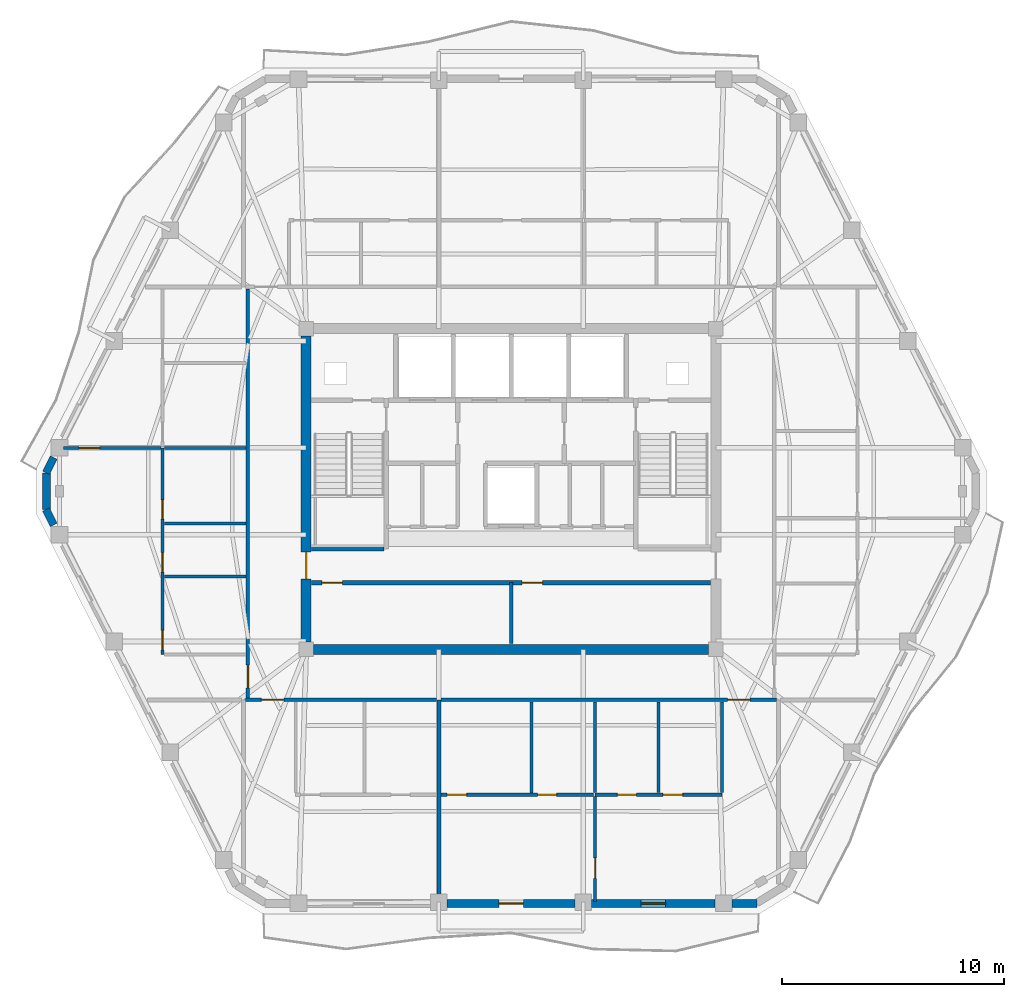
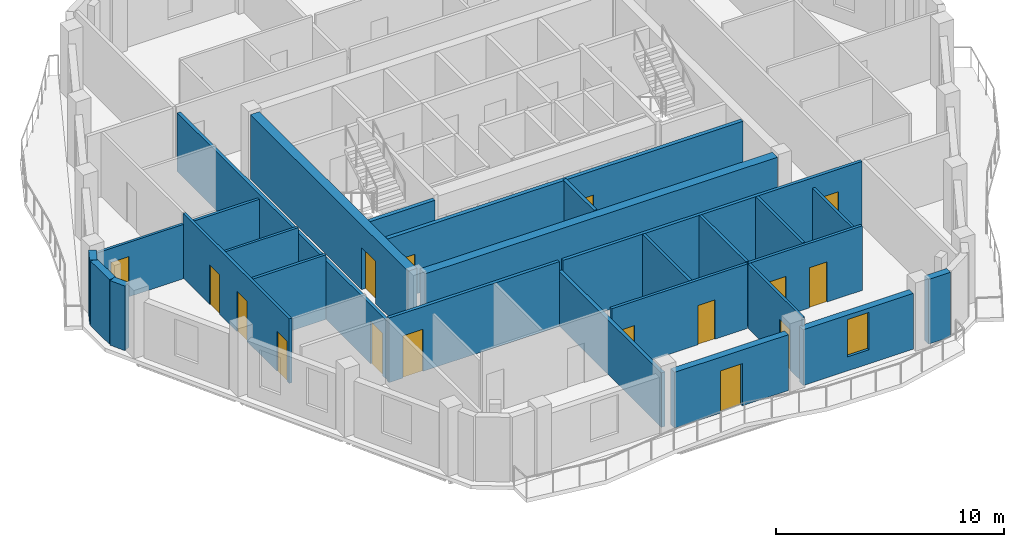
# One storey, part 4 of 11: 27 walls, 16 doors, 1 window, 17 openings.
"""IFC4 building model written with IfcOpenShell, lengths in metres."""

from ifc_helpers import new_model, si_unit, direction, frame, frame_2d, origin, place, context, subcontext, project, spatial, rectangle, extrude, material, layer, layer_set, type_object, element, fill, save


model = new_model("IFC4")

# Units and contexts
model_context = context("Model", 3, precision=1e-05, world=origin(), true_north=direction((0.0, 1.0)))
body_context = subcontext(model_context, "Body", "Model", "MODEL_VIEW")
ifc_project = project(units=[si_unit("LENGTHUNIT", "METRE"), si_unit("AREAUNIT", "SQUARE_METRE"), si_unit("VOLUMEUNIT", "CUBIC_METRE"), si_unit("PLANEANGLEUNIT", "RADIAN"), si_unit("MASSUNIT", "GRAM", prefix="KILO")], contexts=[model_context])

# Site, building, storey
site_placement = place(None, origin())
site = spatial("IfcSite", under=ifc_project, at=site_placement, CompositionType="ELEMENT")
building_placement = place(site_placement, origin())
building = spatial("IfcBuilding", under=site, at=building_placement, Name="Cinnabar Lancet Tower", CompositionType="ELEMENT")
storey_placement = place(building_placement, frame((0.0, 0.0, 230.64990234375)))
storey = spatial("IfcBuildingStorey", under=building, at=storey_placement, Name="L61", CompositionType="ELEMENT", Elevation=230.64990234375)

# Wall
ifc_material_1 = material(Name="Acoustic twin-stud gypsum partition", Category="gypsum")
ifc_layer_1 = layer(ifc_material_1, 0.159912109375)
ifc_layer_set_1 = layer_set([ifc_layer_1], Name="Acoustic twin-stud gypsum partition")
wall_type_1 = type_object("IfcWallType", Name="ARC-WL-CORR-160", PredefinedType="PARTITIONING", material=ifc_layer_set_1)
wall_1_placement = place(storey_placement, frame((32.39990234375, 18.949951171875, 0.0), z_axis=(0.0, 0.0, 1.0), x_axis=(0.0, 1.0, 0.0)))
element("IfcWall", 1, at=wall_1_placement, inside=storey, type_object=wall_type_1, Name="CW-SB-3240-L61", PredefinedType="PARTITIONING", context=body_context, shape_type="SweptSolid", body=[
    extrude(rectangle(XDim=2.72998046875, YDim=0.159912109375, at=frame_2d((1.364990234375, 0.0))), origin(), (0.0, 0.0, 1.0), 3.4501953125),
])

# Wall, opening, door
wall_2_placement = place(storey_placement, frame((20.445068359375, 16.39990234375, 0.0), z_axis=(0.0, 0.0, 1.0), x_axis=(1.0, 0.0, 0.0)))
wall_2 = element("IfcWall", 2, at=wall_2_placement, inside=storey, type_object=wall_type_1, Name="L61 Unit S01 Corridor Wall", PredefinedType="PARTITIONING", context=body_context, shape_type="SweptSolid", body=[
    extrude(rectangle(XDim=8.60595703125, YDim=0.159912109375, at=frame_2d((4.302978515625, 0.0))), origin(), (0.0, 0.0, 1.0), 3.4501953125),
])
opening_1_placement = place(wall_2_placement, frame((0.705078125, 0.0, 0.0)))
opening_1 = element("IfcOpeningElement", 3, at=opening_1_placement, cuts=wall_2, Name="Opening UD-01", PredefinedType="OPENING", context=body_context, shape_type="SweptSolid", body=[
    extrude(rectangle(XDim=1.02001953125, YDim=2.25, at=frame_2d((0.510009765625, 1.125))), frame((0.0, 0.08984375, 0.0), z_axis=(0.0, -1.0, 0.0), x_axis=(1.0, 0.0, 0.0)), (0.0, 0.0, 1.0), 0.179931640625),
])
ifc_material_2 = material(Name="Solid timber fire-rated apartment entrance door", Category="wood")
door_type_1 = type_object("IfcDoorType", Name="ARC-DR-UNIT", OperationType="NOTDEFINED", PredefinedType="DOOR", material=ifc_material_2)
door_1_placement = place(opening_1_placement, origin())
door_1 = element("IfcDoor", 4, at=door_1_placement, inside=storey, type_object=door_type_1, Name="DR-L61-S01-ENT", OperationType="SINGLE_SWING_LEFT", OverallHeight=2.25, OverallWidth=1.02001953125, PredefinedType="DOOR", context=body_context, shape_type="SweptSolid", body=[
    extrude(rectangle(XDim=1.02001953125, YDim=2.25, at=frame_2d((0.510009765625, 1.125))), frame((0.0, 0.02490234375, 0.0), z_axis=(0.0, -1.0, 0.0), x_axis=(1.0, 0.0, 0.0)), (0.0, 0.0, 1.0), 0.050048828125),
])
fill(opening_1, door_1)

wall_3_placement = place(storey_placement, frame((29.240966796875, 16.39990234375, 0.0), z_axis=(0.0, 0.0, 1.0), x_axis=(1.0, 0.0, 0.0)))
wall_3 = element("IfcWall", 5, at=wall_3_placement, inside=storey, type_object=wall_type_1, Name="L61 Unit S02 Corridor Wall", PredefinedType="PARTITIONING", context=body_context, shape_type="SweptSolid", body=[
    extrude(rectangle(XDim=15.114013671875, YDim=0.159912109375, at=frame_2d((7.55712890625, 0.0))), origin(), (0.0, 0.0, 1.0), 3.4501953125),
])
opening_2_placement = place(wall_3_placement, frame((12.908935546875, 0.0, 0.0)))
opening_2 = element("IfcOpeningElement", 6, at=opening_2_placement, cuts=wall_3, Name="Opening UD-01", PredefinedType="OPENING", context=body_context, shape_type="SweptSolid", body=[
    extrude(rectangle(XDim=1.02001953125, YDim=2.25, at=frame_2d((0.510009765625, 1.125))), frame((0.0, 0.08984375, 0.0), z_axis=(0.0, -1.0, 0.0), x_axis=(1.0, 0.0, 0.0)), (0.0, 0.0, 1.0), 0.179931640625),
])
door_2_placement = place(opening_2_placement, origin())
door_2 = element("IfcDoor", 7, at=door_2_placement, inside=storey, type_object=door_type_1, Name="DR-L61-S02-ENT", OperationType="SINGLE_SWING_RIGHT", OverallHeight=2.25, OverallWidth=1.02001953125, PredefinedType="DOOR", context=body_context, shape_type="SweptSolid", body=[
    extrude(rectangle(XDim=1.02001953125, YDim=2.25, at=frame_2d((0.510009765625, 1.125))), frame((0.0, 0.02490234375, 0.0), z_axis=(0.0, -1.0, 0.0), x_axis=(1.0, 0.0, 0.0)), (0.0, 0.0, 1.0), 0.050048828125),
])
fill(opening_2, door_2)

wall_4_placement = place(storey_placement, frame((20.550048828125, 16.4951171875, 0.0), z_axis=(0.0, 0.0, 1.0), x_axis=(0.0, 1.0, 0.0)))
wall_4 = element("IfcWall", 8, at=wall_4_placement, inside=storey, type_object=wall_type_1, Name="UW-L61-W01-COR", PredefinedType="PARTITIONING", context=body_context, shape_type="SweptSolid", body=[
    extrude(rectangle(XDim=18.409912109375, YDim=0.159912109375, at=frame_2d((9.205078125, 0.0))), origin(), (0.0, 0.0, 1.0), 3.13720703125),
])
opening_3_placement = place(wall_4_placement, frame((0.449951171875, 0.0, 0.0)))
opening_3 = element("IfcOpeningElement", 9, at=opening_3_placement, cuts=wall_4, Name="Opening UD-01", PredefinedType="OPENING", context=body_context, shape_type="SweptSolid", body=[
    extrude(rectangle(XDim=1.02001953125, YDim=2.25, at=frame_2d((0.510009765625, 1.125))), frame((0.0, 0.08984375, 0.0), z_axis=(0.0, -1.0, 0.0), x_axis=(1.0, 0.0, 0.0)), (0.0, 0.0, 1.0), 0.179931640625),
])
door_3_placement = place(opening_3_placement, origin())
door_3 = element("IfcDoor", 10, at=door_3_placement, inside=storey, type_object=door_type_1, Name="DR-L61-W01-ENT", OperationType="SINGLE_SWING_LEFT", OverallHeight=2.25, OverallWidth=1.02001953125, PredefinedType="DOOR", context=body_context, shape_type="SweptSolid", body=[
    extrude(rectangle(XDim=1.02001953125, YDim=2.25, at=frame_2d((0.510009765625, 1.125))), frame((0.0, 0.02490234375, 0.0), z_axis=(0.0, -1.0, 0.0), x_axis=(1.0, 0.0, 0.0)), (0.0, 0.0, 1.0), 0.050048828125),
])
fill(opening_3, door_3)

# Walls
ifc_material_3 = material(Name="Fire-rated twin-frame acoustic drywall", Category="gypsum")
ifc_layer_2 = layer(ifc_material_3, 0.179931640625)
ifc_layer_set_2 = layer_set([ifc_layer_2], Name="Fire-rated twin-frame acoustic drywall")
wall_type_2 = type_object("IfcWallType", Name="ARC-WL-PARTY-180", PredefinedType="PARTITIONING", material=ifc_layer_set_2)
wall_5_placement = place(storey_placement, frame((29.14599609375, 7.405029296875, 0.0), z_axis=(0.0, 0.0, 1.0), x_axis=(0.0, 1.0, 0.0)))
element("IfcWall", 11, at=wall_5_placement, inside=storey, type_object=wall_type_2, Name="PW-L61-SPTY-291", PredefinedType="PARTITIONING", context=body_context, shape_type="SweptSolid", body=[
    extrude(rectangle(XDim=8.994873046875, YDim=0.179931640625, at=frame_2d((4.49755859375, 0.0))), origin(), (0.0, 0.0, 1.0), 2.906982421875),
])
ifc_material_4 = material(Name="Autoclaved aerated concrete blockwork", Category="masonry")
ifc_layer_3 = layer(ifc_material_4, 0.199951171875)
ifc_layer_set_3 = layer_set([ifc_layer_3], Name="Autoclaved aerated concrete blockwork")
wall_type_3 = type_object("IfcWallType", Name="ARC-WL-SHAFT-200", PredefinedType="PLUMBINGWALL", material=ifc_layer_set_3)
wall_6_placement = place(storey_placement, frame((23.405029296875, 23.199951171875, 0.0), z_axis=(0.0, 0.0, 1.0), x_axis=(1.0, 0.0, 0.0)))
element("IfcWall", 12, at=wall_6_placement, inside=storey, type_object=wall_type_3, Name="CW-ST1S-L61", PredefinedType="PLUMBINGWALL", context=body_context, shape_type="SweptSolid", body=[
    extrude(rectangle(XDim=3.27001953125, YDim=0.199951171875, at=frame_2d((1.635009765625, 0.0))), origin(), (0.0, 0.0, 1.0), 3.4501953125),
])

# Wall, openings, doors
wall_7_placement = place(storey_placement, frame((23.419921875, 21.679931640625, 0.0), z_axis=(0.0, 0.0, 1.0), x_axis=(1.0, 0.0, 0.0)))
wall_7 = element("IfcWall", 13, at=wall_7_placement, inside=storey, type_object=wall_type_3, Name="CW-SBANDN-L61", PredefinedType="PLUMBINGWALL", context=body_context, shape_type="SweptSolid", body=[
    extrude(rectangle(XDim=17.9599609375, YDim=0.199951171875, at=frame_2d((8.97998046875, 0.0))), origin(), (0.0, 0.0, 1.0), 3.4501953125),
])
opening_4_placement = place(wall_7_placement, frame((0.4599609375, 0.0, 0.0)))
opening_4 = element("IfcOpeningElement", 14, at=opening_4_placement, cuts=wall_7, Name="Opening RD-01", PredefinedType="OPENING", context=body_context, shape_type="SweptSolid", body=[
    extrude(rectangle(XDim=0.919921875, YDim=2.14990234375, at=frame_2d((0.4599609375, 1.074951171875))), frame((0.0, 0.10986328125, 0.0), z_axis=(0.0, -1.0, 0.0), x_axis=(1.0, 0.0, 0.0)), (0.0, 0.0, 1.0), 0.219970703125),
])
opening_5_placement = place(wall_7_placement, frame((9.47998046875, 0.0, 0.0)))
opening_5 = element("IfcOpeningElement", 15, at=opening_5_placement, cuts=wall_7, Name="Opening RD-01", PredefinedType="OPENING", context=body_context, shape_type="SweptSolid", body=[
    extrude(rectangle(XDim=0.919921875, YDim=2.14990234375, at=frame_2d((0.4599609375, 1.074951171875))), frame((0.0, 0.10986328125, 0.0), z_axis=(0.0, -1.0, 0.0), x_axis=(1.0, 0.0, 0.0)), (0.0, 0.0, 1.0), 0.219970703125),
])
ifc_material_5 = material(Name="Engineered timber bedroom door", Category="wood")
door_type_2 = type_object("IfcDoorType", Name="ARC-DR-ROOM", OperationType="NOTDEFINED", PredefinedType="DOOR", material=ifc_material_5)
door_4_placement = place(opening_4_placement, origin())
door_4 = element("IfcDoor", 16, at=door_4_placement, inside=storey, type_object=door_type_2, Name="DR-L61-HREC1", OperationType="SINGLE_SWING_LEFT", OverallHeight=2.14990234375, OverallWidth=0.919921875, PredefinedType="DOOR", context=body_context, shape_type="SweptSolid", body=[
    extrude(rectangle(XDim=0.919921875, YDim=2.14990234375, at=frame_2d((0.4599609375, 1.074951171875))), frame((0.0, 0.02490234375, 0.0), z_axis=(0.0, -1.0, 0.0), x_axis=(1.0, 0.0, 0.0)), (0.0, 0.0, 1.0), 0.050048828125),
])
fill(opening_4, door_4)
door_5_placement = place(opening_5_placement, origin())
door_5 = element("IfcDoor", 17, at=door_5_placement, inside=storey, type_object=door_type_2, Name="DR-L61-HREC2", OperationType="SINGLE_SWING_RIGHT", OverallHeight=2.14990234375, OverallWidth=0.919921875, PredefinedType="DOOR", context=body_context, shape_type="SweptSolid", body=[
    extrude(rectangle(XDim=0.919921875, YDim=2.14990234375, at=frame_2d((0.4599609375, 1.074951171875))), frame((0.0, 0.02490234375, 0.0), z_axis=(0.0, -1.0, 0.0), x_axis=(1.0, 0.0, 0.0)), (0.0, 0.0, 1.0), 0.050048828125),
])
fill(opening_5, door_5)

# Wall
ifc_material_6 = material(Name="Gypsum plasterboard stud partition", Category="gypsum")
ifc_layer_4 = layer(ifc_material_6, 0.125)
ifc_layer_set_4 = layer_set([ifc_layer_4], Name="Gypsum plasterboard stud partition")
wall_type_4 = type_object("IfcWallType", Name="ARC-WL-UNIT-125", PredefinedType="PARTITIONING", material=ifc_layer_set_4)
wall_8_placement = place(storey_placement, frame((41.89990234375, 12.235107421875, 0.0), z_axis=(0.0, 0.0, 1.0), x_axis=(0.0, 1.0, 0.0)))
element("IfcWall", 18, at=wall_8_placement, inside=storey, type_object=wall_type_4, Name="UW-L61-S02-FOYW", PredefinedType="PARTITIONING", context=body_context, shape_type="SweptSolid", body=[
    extrude(rectangle(XDim=4.079833984375, YDim=0.125, at=frame_2d((2.0400390625, 0.0))), origin(), (0.0, 0.0, 1.0), 2.906982421875),
])

# Wall, opening, door
wall_9_placement = place(storey_placement, frame((36.18603515625, 7.31494140625, 0.0), z_axis=(0.0, 0.0, 1.0), x_axis=(0.0, 1.0, 0.0)))
wall_9 = element("IfcWall", 19, at=wall_9_placement, inside=storey, type_object=wall_type_4, Name="UW-L61-S02-MBW", PredefinedType="PARTITIONING", context=body_context, shape_type="SweptSolid", body=[
    extrude(rectangle(XDim=4.739990234375, YDim=0.125, at=frame_2d((2.3701171875, 0.0))), origin(), (0.0, 0.0, 1.0), 3.4501953125),
])
opening_6_placement = place(wall_9_placement, frame((1.050048828125, 0.0, 0.0)))
opening_6 = element("IfcOpeningElement", 20, at=opening_6_placement, cuts=wall_9, Name="Opening RD-01", PredefinedType="OPENING", context=body_context, shape_type="SweptSolid", body=[
    extrude(rectangle(XDim=0.919921875, YDim=2.14990234375, at=frame_2d((0.4599609375, 1.074951171875))), frame((0.0, 0.072509765625, 0.0), z_axis=(0.0, -1.0, 0.0), x_axis=(1.0, 0.0, 0.0)), (0.0, 0.0, 1.0), 0.14501953125),
])
door_6_placement = place(opening_6_placement, origin())
door_6 = element("IfcDoor", 21, at=door_6_placement, inside=storey, type_object=door_type_2, Name="DR-L61-S02-MBD", OperationType="SINGLE_SWING_LEFT", OverallHeight=2.14990234375, OverallWidth=0.919921875, PredefinedType="DOOR", context=body_context, shape_type="SweptSolid", body=[
    extrude(rectangle(XDim=0.919921875, YDim=2.14990234375, at=frame_2d((0.4599609375, 1.074951171875))), frame((0.0, 0.02490234375, 0.0), z_axis=(0.0, -1.0, 0.0), x_axis=(1.0, 0.0, 0.0)), (0.0, 0.0, 1.0), 0.050048828125),
])
fill(opening_6, door_6)

wall_10_placement = place(storey_placement, frame((12.2490234375, 27.74609375, 0.0), z_axis=(0.0, 0.0, 1.0), x_axis=(1.0, 0.0, 0.0)))
wall_10 = element("IfcWall", 22, at=wall_10_placement, inside=storey, type_object=wall_type_4, Name="UW-L61-W01-MBN", PredefinedType="PARTITIONING", context=body_context, shape_type="SweptSolid", body=[
    extrude(rectangle(XDim=4.3759765625, YDim=0.125, at=frame_2d((2.18798828125, 0.0))), origin(), (0.0, 0.0, 1.0), 2.906982421875),
])
opening_7_placement = place(wall_10_placement, frame((0.699951171875, 0.0, 0.0)))
opening_7 = element("IfcOpeningElement", 23, at=opening_7_placement, cuts=wall_10, Name="Opening RD-01", PredefinedType="OPENING", context=body_context, shape_type="SweptSolid", body=[
    extrude(rectangle(XDim=0.919921875, YDim=2.14990234375, at=frame_2d((0.4599609375, 1.074951171875))), frame((0.0, 0.072509765625, 0.0), z_axis=(0.0, -1.0, 0.0), x_axis=(1.0, 0.0, 0.0)), (0.0, 0.0, 1.0), 0.14501953125),
])
door_7_placement = place(opening_7_placement, origin())
door_7 = element("IfcDoor", 24, at=door_7_placement, inside=storey, type_object=door_type_2, Name="DR-L61-W01-MBD", OperationType="SINGLE_SWING_LEFT", OverallHeight=2.14990234375, OverallWidth=0.919921875, PredefinedType="DOOR", context=body_context, shape_type="SweptSolid", body=[
    extrude(rectangle(XDim=0.919921875, YDim=2.14990234375, at=frame_2d((0.4599609375, 1.074951171875))), frame((0.0, 0.02490234375, 0.0), z_axis=(0.0, -1.0, 0.0), x_axis=(1.0, 0.0, 0.0)), (0.0, 0.0, 1.0), 0.050048828125),
])
fill(opening_7, door_7)

# Wall
wall_11_placement = place(storey_placement, frame((16.784912109375, 24.345947265625, 0.0), z_axis=(0.0, 0.0, 1.0), x_axis=(1.0, 0.0, 0.0)))
element("IfcWall", 25, at=wall_11_placement, inside=storey, type_object=wall_type_4, Name="UW-L61-W01-UDV", PredefinedType="PARTITIONING", context=body_context, shape_type="SweptSolid", body=[
    extrude(rectangle(XDim=3.68017578125, YDim=0.125, at=frame_2d((1.840087890625, 0.0))), origin(), (0.0, 0.0, 1.0), 3.4501953125),
])

# Wall, openings, doors
ifc_material_7 = material(Name="Moisture-resistant cement-board plumbing wall", Category="masonry")
ifc_layer_5 = layer(ifc_material_7, 0.139892578125)
ifc_layer_set_5 = layer_set([ifc_layer_5], Name="Moisture-resistant cement-board plumbing wall")
wall_type_5 = type_object("IfcWallType", Name="ARC-WL-WET-140", PredefinedType="PLUMBINGWALL", material=ifc_layer_set_5)
wall_12_placement = place(storey_placement, frame((36.18603515625, 12.1298828125, 0.0), z_axis=(0.0, 0.0, 1.0), x_axis=(1.0, 0.0, 0.0)))
wall_12 = element("IfcWall", 26, at=wall_12_placement, inside=storey, type_object=wall_type_5, Name="UW-L61-S02-SPL", PredefinedType="PLUMBINGWALL", context=body_context, shape_type="SweptSolid", body=[
    extrude(rectangle(XDim=5.7138671875, YDim=0.139892578125, at=frame_2d((2.85693359375, 0.0))), origin(), (0.0, 0.0, 1.0), 3.4501953125),
])
opening_8_placement = place(wall_12_placement, frame((1.0029296875, 0.0, 0.0)))
opening_8 = element("IfcOpeningElement", 27, at=opening_8_placement, cuts=wall_12, Name="Opening BD-01", PredefinedType="OPENING", context=body_context, shape_type="SweptSolid", body=[
    extrude(rectangle(XDim=0.860107421875, YDim=2.10009765625, at=frame_2d((0.43017578125, 1.050048828125))), frame((0.0, 0.079833984375, 0.0), z_axis=(0.0, -1.0, 0.0), x_axis=(1.0, 0.0, 0.0)), (0.0, 0.0, 1.0), 0.159912109375),
])
opening_9_placement = place(wall_12_placement, frame((3.056884765625, 0.0, 0.0)))
opening_9 = element("IfcOpeningElement", 28, at=opening_9_placement, cuts=wall_12, Name="Opening RD-02", PredefinedType="OPENING", context=body_context, shape_type="SweptSolid", body=[
    extrude(rectangle(XDim=0.8798828125, YDim=2.14990234375, at=frame_2d((0.43994140625, 1.074951171875))), frame((0.0, 0.079833984375, 0.0), z_axis=(0.0, -1.0, 0.0), x_axis=(1.0, 0.0, 0.0)), (0.0, 0.0, 1.0), 0.159912109375),
])
ifc_material_8 = material(Name="Moisture-resistant timber bathroom door", Category="wood")
door_type_3 = type_object("IfcDoorType", Name="ARC-DR-BATH", OperationType="NOTDEFINED", PredefinedType="DOOR", material=ifc_material_8)
door_8_placement = place(opening_8_placement, origin())
door_8 = element("IfcDoor", 29, at=door_8_placement, inside=storey, type_object=door_type_3, Name="DR-L61-S02-BTH", OperationType="SINGLE_SWING_LEFT", OverallHeight=2.10009765625, OverallWidth=0.860107421875, PredefinedType="DOOR", context=body_context, shape_type="SweptSolid", body=[
    extrude(rectangle(XDim=0.860107421875, YDim=2.10009765625, at=frame_2d((0.43017578125, 1.050048828125))), frame((0.0, 0.02490234375, 0.0), z_axis=(0.0, -1.0, 0.0), x_axis=(1.0, 0.0, 0.0)), (0.0, 0.0, 1.0), 0.050048828125),
])
fill(opening_8, door_8)
ifc_material_9 = material(Name="Engineered timber study door", Category="wood")
door_type_4 = type_object("IfcDoorType", Name="ARC-DR-STUDY", OperationType="NOTDEFINED", PredefinedType="DOOR", material=ifc_material_9)
door_9_placement = place(opening_9_placement, origin())
door_9 = element("IfcDoor", 30, at=door_9_placement, inside=storey, type_object=door_type_4, Name="DR-L61-S02-KIT", OperationType="SINGLE_SWING_RIGHT", OverallHeight=2.14990234375, OverallWidth=0.8798828125, PredefinedType="DOOR", context=body_context, shape_type="SweptSolid", body=[
    extrude(rectangle(XDim=0.8798828125, YDim=2.14990234375, at=frame_2d((0.43994140625, 1.074951171875))), frame((0.0, 0.02490234375, 0.0), z_axis=(0.0, -1.0, 0.0), x_axis=(1.0, 0.0, 0.0)), (0.0, 0.0, 1.0), 0.050048828125),
])
fill(opening_9, door_9)

wall_13_placement = place(storey_placement, frame((29.240966796875, 12.1298828125, 0.0), z_axis=(0.0, 0.0, 1.0), x_axis=(1.0, 0.0, 0.0)))
wall_13 = element("IfcWall", 31, at=wall_13_placement, inside=storey, type_object=wall_type_5, Name="UW-L61-S02-SPM", PredefinedType="PLUMBINGWALL", context=body_context, shape_type="SweptSolid", body=[
    extrude(rectangle(XDim=6.8701171875, YDim=0.139892578125, at=frame_2d((3.43505859375, 0.0))), origin(), (0.0, 0.0, 1.0), 3.4501953125),
])
opening_10_placement = place(wall_13_placement, frame((0.280029296875, 0.0, 0.0)))
opening_10 = element("IfcOpeningElement", 32, at=opening_10_placement, cuts=wall_13, Name="Opening RD-02", PredefinedType="OPENING", context=body_context, shape_type="SweptSolid", body=[
    extrude(rectangle(XDim=0.8798828125, YDim=2.14990234375, at=frame_2d((0.43994140625, 1.074951171875))), frame((0.0, 0.079833984375, 0.0), z_axis=(0.0, -1.0, 0.0), x_axis=(1.0, 0.0, 0.0)), (0.0, 0.0, 1.0), 0.159912109375),
])
opening_11_placement = place(wall_13_placement, frame((4.35205078125, 0.0, 0.0)))
opening_11 = element("IfcOpeningElement", 33, at=opening_11_placement, cuts=wall_13, Name="Opening BD-01", PredefinedType="OPENING", context=body_context, shape_type="SweptSolid", body=[
    extrude(rectangle(XDim=0.860107421875, YDim=2.10009765625, at=frame_2d((0.43017578125, 1.050048828125))), frame((0.0, 0.079833984375, 0.0), z_axis=(0.0, -1.0, 0.0), x_axis=(1.0, 0.0, 0.0)), (0.0, 0.0, 1.0), 0.159912109375),
])
door_10_placement = place(opening_11_placement, origin())
door_10 = element("IfcDoor", 34, at=door_10_placement, inside=storey, type_object=door_type_3, Name="DR-L61-S02-ENS", OperationType="SINGLE_SWING_LEFT", OverallHeight=2.10009765625, OverallWidth=0.860107421875, PredefinedType="DOOR", context=body_context, shape_type="SweptSolid", body=[
    extrude(rectangle(XDim=0.860107421875, YDim=2.10009765625, at=frame_2d((0.43017578125, 1.050048828125))), frame((0.0, 0.02490234375, 0.0), z_axis=(0.0, -1.0, 0.0), x_axis=(1.0, 0.0, 0.0)), (0.0, 0.0, 1.0), 0.050048828125),
])
fill(opening_11, door_10)
door_11_placement = place(opening_10_placement, origin())
door_11 = element("IfcDoor", 35, at=door_11_placement, inside=storey, type_object=door_type_4, Name="DR-L61-S02-ENS-WDR", OperationType="SINGLE_SWING_RIGHT", OverallHeight=2.14990234375, OverallWidth=0.8798828125, PredefinedType="DOOR", context=body_context, shape_type="SweptSolid", body=[
    extrude(rectangle(XDim=0.8798828125, YDim=2.14990234375, at=frame_2d((0.43994140625, 1.074951171875))), frame((0.0, 0.02490234375, 0.0), z_axis=(0.0, -1.0, 0.0), x_axis=(1.0, 0.0, 0.0)), (0.0, 0.0, 1.0), 0.050048828125),
])
fill(opening_10, door_11)

# Walls
for number, where, z_axis, x_axis, name in (
    (36, (39.04296875, 12.235107421875, 0.0), (0.0, 0.0, 1.0), (0.0, 1.0, 0.0), "UW-L61-S02-KBD"),
    (37, (36.18603515625, 12.235107421875, 0.0), (0.0, 0.0, 1.0), (0.0, 1.0, 0.0), "UW-L61-S02-ENSW"),
):
    element("IfcWall", number, at=place(storey_placement, frame(where, z_axis=z_axis, x_axis=x_axis)), inside=storey, type_object=wall_type_5, Name=name, PredefinedType="PLUMBINGWALL", context=body_context, shape_type="SweptSolid", body=[
        extrude(rectangle(XDim=4.079833984375, YDim=0.139892578125, at=frame_2d((2.0400390625, 0.0))), origin(), (0.0, 0.0, 1.0), 3.4501953125),
    ])
wall_14_placement = place(storey_placement, frame((33.31298828125, 12.215087890625, 0.0), z_axis=(0.0, 0.0, 1.0), x_axis=(0.0, 1.0, 0.0)))
element("IfcWall", 38, at=wall_14_placement, inside=storey, type_object=wall_type_5, Name="UW-L61-S02-ENS-WDV", PredefinedType="PLUMBINGWALL", context=body_context, shape_type="SweptSolid", body=[
    extrude(rectangle(XDim=4.099853515625, YDim=0.139892578125, at=frame_2d((2.0498046875, 0.0))), origin(), (0.0, 0.0, 1.0), 3.4501953125),
])

# Wall, openings, doors
wall_15_placement = place(storey_placement, frame((16.699951171875, 18.449951171875, 0.0), z_axis=(0.0, 0.0, 1.0), x_axis=(0.0, 1.0, 0.0)))
wall_15 = element("IfcWall", 39, at=wall_15_placement, inside=storey, type_object=wall_type_5, Name="UW-L61-W01-SPL", PredefinedType="PLUMBINGWALL", context=body_context, shape_type="SweptSolid", body=[
    extrude(rectangle(XDim=9.296142578125, YDim=0.139892578125, at=frame_2d((4.64794921875, 0.0))), origin(), (0.0, 0.0, 1.0), 3.4501953125),
])
opening_12_placement = place(wall_15_placement, frame((0.199951171875, 0.0, 0.0)))
opening_12 = element("IfcOpeningElement", 40, at=opening_12_placement, cuts=wall_15, Name="Opening RD-02", PredefinedType="OPENING", context=body_context, shape_type="SweptSolid", body=[
    extrude(rectangle(XDim=0.8798828125, YDim=2.14990234375, at=frame_2d((0.43994140625, 1.074951171875))), frame((0.0, 0.079833984375, 0.0), z_axis=(0.0, -1.0, 0.0), x_axis=(1.0, 0.0, 0.0)), (0.0, 0.0, 1.0), 0.159912109375),
])
opening_13_placement = place(wall_15_placement, frame((3.699951171875, 0.0, 0.0)))
opening_13 = element("IfcOpeningElement", 41, at=opening_13_placement, cuts=wall_15, Name="Opening RD-02", PredefinedType="OPENING", context=body_context, shape_type="SweptSolid", body=[
    extrude(rectangle(XDim=0.8798828125, YDim=2.14990234375, at=frame_2d((0.43994140625, 1.074951171875))), frame((0.0, 0.079833984375, 0.0), z_axis=(0.0, -1.0, 0.0), x_axis=(1.0, 0.0, 0.0)), (0.0, 0.0, 1.0), 0.159912109375),
])
opening_14_placement = place(wall_15_placement, frame((6.095947265625, 0.0, 0.0)))
opening_14 = element("IfcOpeningElement", 42, at=opening_14_placement, cuts=wall_15, Name="Opening BD-01", PredefinedType="OPENING", context=body_context, shape_type="SweptSolid", body=[
    extrude(rectangle(XDim=0.860107421875, YDim=2.10009765625, at=frame_2d((0.43017578125, 1.050048828125))), frame((0.0, 0.079833984375, 0.0), z_axis=(0.0, -1.0, 0.0), x_axis=(1.0, 0.0, 0.0)), (0.0, 0.0, 1.0), 0.159912109375),
])
door_12_placement = place(opening_14_placement, origin())
door_12 = element("IfcDoor", 43, at=door_12_placement, inside=storey, type_object=door_type_3, Name="DR-L61-W01-BTH", OperationType="SINGLE_SWING_RIGHT", OverallHeight=2.10009765625, OverallWidth=0.860107421875, PredefinedType="DOOR", context=body_context, shape_type="SweptSolid", body=[
    extrude(rectangle(XDim=0.860107421875, YDim=2.10009765625, at=frame_2d((0.43017578125, 1.050048828125))), frame((0.0, 0.02490234375, 0.0), z_axis=(0.0, -1.0, 0.0), x_axis=(1.0, 0.0, 0.0)), (0.0, 0.0, 1.0), 0.050048828125),
])
fill(opening_14, door_12)
door_13_placement = place(opening_12_placement, origin())
door_13 = element("IfcDoor", 44, at=door_13_placement, inside=storey, type_object=door_type_4, Name="DR-L61-W01-KIT", OperationType="SINGLE_SWING_RIGHT", OverallHeight=2.14990234375, OverallWidth=0.8798828125, PredefinedType="DOOR", context=body_context, shape_type="SweptSolid", body=[
    extrude(rectangle(XDim=0.8798828125, YDim=2.14990234375, at=frame_2d((0.43994140625, 1.074951171875))), frame((0.0, 0.02490234375, 0.0), z_axis=(0.0, -1.0, 0.0), x_axis=(1.0, 0.0, 0.0)), (0.0, 0.0, 1.0), 0.050048828125),
])
fill(opening_12, door_13)
door_14_placement = place(opening_13_placement, origin())
door_14 = element("IfcDoor", 45, at=door_14_placement, inside=storey, type_object=door_type_4, Name="DR-L61-W01-UTL", OperationType="SINGLE_SWING_LEFT", OverallHeight=2.14990234375, OverallWidth=0.8798828125, PredefinedType="DOOR", context=body_context, shape_type="SweptSolid", body=[
    extrude(rectangle(XDim=0.8798828125, YDim=2.14990234375, at=frame_2d((0.43994140625, 1.074951171875))), frame((0.0, 0.02490234375, 0.0), z_axis=(0.0, -1.0, 0.0), x_axis=(1.0, 0.0, 0.0)), (0.0, 0.0, 1.0), 0.050048828125),
])
fill(opening_13, door_14)

# Walls
wall_16_placement = place(storey_placement, frame((16.784912109375, 27.74609375, 0.0), z_axis=(0.0, 0.0, 1.0), x_axis=(1.0, 0.0, 0.0)))
element("IfcWall", 46, at=wall_16_placement, inside=storey, type_object=wall_type_5, Name="UW-L61-W01-ENSN", PredefinedType="PLUMBINGWALL", context=body_context, shape_type="SweptSolid", body=[
    extrude(rectangle(XDim=3.68017578125, YDim=0.139892578125, at=frame_2d((1.840087890625, 0.0))), origin(), (0.0, 0.0, 1.0), 2.906982421875),
])
wall_17_placement = place(storey_placement, frame((16.784912109375, 21.949951171875, 0.0), z_axis=(0.0, 0.0, 1.0), x_axis=(1.0, 0.0, 0.0)))
element("IfcWall", 47, at=wall_17_placement, inside=storey, type_object=wall_type_5, Name="UW-L61-W01-KDV", PredefinedType="PLUMBINGWALL", context=body_context, shape_type="SweptSolid", body=[
    extrude(rectangle(XDim=3.68017578125, YDim=0.139892578125, at=frame_2d((1.840087890625, 0.0))), origin(), (0.0, 0.0, 1.0), 3.4501953125),
])
ifc_material_10 = material(Name="Cinnabar red clay brick", Category="masonry")
ifc_layer_6 = layer(ifc_material_10, 0.340087890625)
ifc_layer_set_6 = layer_set([ifc_layer_6], Name="Cinnabar red clay brick")
wall_type_6 = type_object("IfcWallType", Name="ENV-WL-BRK-RED-340", PredefinedType="STANDARD", material=ifc_layer_set_6)
wall_18_placement = place(storey_placement, frame((11.47705078125, 26.6201171875, 0.0), z_axis=(0.0, 0.0, 1.0), x_axis=(0.0, -1.0, 0.0)))
element("IfcWall", 48, at=wall_18_placement, inside=storey, type_object=wall_type_6, Name="L61 Chamfered Corner Brick Pier 6.1", PredefinedType="STANDARD", context=body_context, shape_type="SweptSolid", body=[
    extrude(rectangle(XDim=1.64013671875, YDim=0.340087890625, at=frame_2d((0.820068359375, 0.0))), origin(), (0.0, 0.0, 1.0), 3.4501953125),
])

# Wall, opening, door
wall_19_placement = place(storey_placement, frame((29.52490234375, 7.22998046875, 0.0), z_axis=(0.0, 0.0, 1.0), x_axis=(1.0, 0.0, 0.0)))
wall_19 = element("IfcWall", 49, at=wall_19_placement, inside=storey, type_object=wall_type_6, Name="L61 Face 1 Masonry Bay Wall 3", PredefinedType="STANDARD", context=body_context, shape_type="SweptSolid", body=[
    extrude(rectangle(XDim=5.75, YDim=0.340087890625, at=frame_2d((2.875, 0.0))), origin(), (0.0, 0.0, 1.0), 2.983154296875),
])
opening_15_placement = place(wall_19_placement, frame((2.324951171875, 0.0, 0.0)))
opening_15 = element("IfcOpeningElement", 50, at=opening_15_placement, cuts=wall_19, Name="Opening TD-01", PredefinedType="OPENING", context=body_context, shape_type="SweptSolid", body=[
    extrude(rectangle(XDim=1.10009765625, YDim=2.25, at=frame_2d((0.550048828125, 1.125))), frame((0.0, 0.179931640625, 0.0), z_axis=(0.0, -1.0, 0.0), x_axis=(1.0, 0.0, 0.0)), (0.0, 0.0, 1.0), 0.360107421875),
])
ifc_material_11 = material(Name="Thermally broken low-E glazed balcony terrace door", Category="wood")
door_type_5 = type_object("IfcDoorType", Name="ARC-DR-BALC", OperationType="NOTDEFINED", PredefinedType="DOOR", material=ifc_material_11)
door_15_placement = place(opening_15_placement, origin())
door_15 = element("IfcDoor", 51, at=door_15_placement, inside=storey, type_object=door_type_5, Name="L61 Face 1 Glazed Terrace Door", OperationType="SINGLE_SWING_LEFT", OverallHeight=2.25, OverallWidth=1.10009765625, PredefinedType="DOOR", context=body_context, shape_type="SweptSolid", body=[
    extrude(rectangle(XDim=1.10009765625, YDim=2.25, at=frame_2d((0.550048828125, 1.125))), frame((0.0, 0.02490234375, 0.0), z_axis=(0.0, -1.0, 0.0), x_axis=(1.0, 0.0, 0.0)), (0.0, 0.0, 1.0), 0.050048828125),
])
fill(opening_15, door_15)

# Wall, opening, window
wall_20_placement = place(storey_placement, frame((36.032958984375, 7.22998046875, 0.0), z_axis=(0.0, 0.0, 1.0), x_axis=(1.0, 0.0, 0.0)))
wall_20 = element("IfcWall", 52, at=wall_20_placement, inside=storey, type_object=wall_type_6, Name="L61 Face 1 Masonry Bay Wall 4", PredefinedType="STANDARD", context=body_context, shape_type="SweptSolid", body=[
    extrude(rectangle(XDim=5.56005859375, YDim=0.340087890625, at=frame_2d((2.780029296875, 0.0))), origin(), (0.0, 0.0, 1.0), 2.983154296875),
])
opening_16_placement = place(wall_20_placement, frame((2.22998046875, 0.0, 0.75)))
opening_16 = element("IfcOpeningElement", 53, at=opening_16_placement, cuts=wall_20, Name="Opening WN-04", PredefinedType="OPENING", context=body_context, shape_type="SweptSolid", body=[
    extrude(rectangle(XDim=1.10009765625, YDim=2.0, at=frame_2d((0.550048828125, 1.0))), frame((0.0, 0.179931640625, 0.0), z_axis=(0.0, -1.0, 0.0), x_axis=(1.0, 0.0, 0.0)), (0.0, 0.0, 1.0), 0.360107421875),
])
ifc_material_12 = material(Name="Thermally broken bronze-anodized aluminium tall lancet window", Category="aluminium")
window_type = type_object("IfcWindowType", Name="ENV-WN-LANCET-1100", PartitioningType="SINGLE_PANEL", PredefinedType="WINDOW", material=ifc_material_12)
window_placement = place(opening_16_placement, origin())
window = element("IfcWindow", 54, at=window_placement, inside=storey, type_object=window_type, Name="L61 Face 1 Gothic Lancet Window 4", OverallHeight=2.0, OverallWidth=1.10009765625, PartitioningType="SINGLE_PANEL", PredefinedType="WINDOW", context=body_context, shape_type="SweptSolid", body=[
    extrude(rectangle(XDim=1.10009765625, YDim=2.0, at=frame_2d((0.550048828125, 1.0))), frame((0.0, 0.030029296875, 0.0), z_axis=(0.0, -1.0, 0.0), x_axis=(1.0, 0.0, 0.0)), (0.0, 0.0, 1.0), 0.06005859375),
])
fill(opening_16, window)

# Walls
wall_21_placement = place(storey_placement, frame((42.35107421875, 7.22998046875, 0.0), z_axis=(0.0, 0.0, 1.0), x_axis=(1.0, 0.0, 0.0)))
element("IfcWall", 55, at=wall_21_placement, inside=storey, type_object=wall_type_6, Name="L61 Face 1 Masonry Bay Wall 5", PredefinedType="STANDARD", context=body_context, shape_type="SweptSolid", body=[
    extrude(rectangle(XDim=1.123046875, YDim=0.340087890625, at=frame_2d((0.5615234375, 0.0))), origin(), (0.0, 0.0, 1.0), 3.4501953125),
])
for number, where, z_axis, x_axis, name in (
    (56, (11.803955078125, 27.31591796875, 0.0), (0.0, 0.0, 1.0), (-0.45075284655, -0.892648795063, 0.0), "L61 Face 5 Masonry Bay Wall 5"),
    (57, (11.4560546875, 24.972900390625, 0.0), (0.0, 0.0, 1.0), (0.45075284655, -0.892648795063, 0.0), "L61 Face 6 Masonry Bay Wall 1"),
):
    element("IfcWall", number, at=place(storey_placement, frame(where, z_axis=z_axis, x_axis=x_axis)), inside=storey, type_object=wall_type_6, Name=name, PredefinedType="STANDARD", context=body_context, shape_type="SweptSolid", body=[
        extrude(rectangle(XDim=0.771728515625, YDim=0.340087890625, at=frame_2d((0.3857421875, 0.0))), origin(), (0.0, 0.0, 1.0), 3.4501953125),
    ])
ifc_material_13 = material(Name="Concrete C50/60", Category="concrete")
ifc_layer_7 = layer(ifc_material_13, 0.449951171875)
ifc_layer_set_7 = layer_set([ifc_layer_7], Name="Concrete C50/60")
wall_type_7 = type_object("IfcWallType", Name="STR-WL-CORE-450", PredefinedType="SHEAR", material=ifc_layer_set_7)
wall_22_placement = place(storey_placement, frame((23.5, 18.675048828125, 0.0), z_axis=(0.0, 0.0, 1.0), x_axis=(1.0, 0.0, 0.0)))
element("IfcWall", 58, at=wall_22_placement, inside=storey, type_object=wall_type_7, Name="L61 Core Shear Wall S", PredefinedType="SHEAR", context=body_context, shape_type="SweptSolid", body=[
    extrude(rectangle(XDim=17.800048828125, YDim=0.449951171875, at=frame_2d((8.89990234375, 0.0))), origin(), (0.0, 0.0, 1.0), 3.4501953125),
])

# Wall, opening, door
wall_23_placement = place(storey_placement, frame((23.175048828125, 19.0, 0.0), z_axis=(0.0, 0.0, 1.0), x_axis=(0.0, 1.0, 0.0)))
wall_23 = element("IfcWall", 59, at=wall_23_placement, inside=storey, type_object=wall_type_7, Name="L61 Core Shear Wall W", PredefinedType="SHEAR", context=body_context, shape_type="SweptSolid", body=[
    extrude(rectangle(XDim=13.800048828125, YDim=0.449951171875, at=frame_2d((6.89990234375, 0.0))), origin(), (0.0, 0.0, 1.0), 3.4501953125),
])
opening_17_placement = place(wall_23_placement, frame((2.840087890625, 0.0, 0.0)))
opening_17 = element("IfcOpeningElement", 60, at=opening_17_placement, cuts=wall_23, Name="Opening FD-02", PredefinedType="OPENING", context=body_context, shape_type="SweptSolid", body=[
    extrude(rectangle(XDim=1.219970703125, YDim=2.25, at=frame_2d((0.60986328125, 1.125))), frame((0.0, 0.23486328125, 0.0), z_axis=(0.0, -1.0, 0.0), x_axis=(1.0, 0.0, 0.0)), (0.0, 0.0, 1.0), 0.469970703125),
])
ifc_material_14 = material(Name="Fire-rated double-vision core portal door", Category="wood")
door_type_6 = type_object("IfcDoorType", Name="ARC-DR-CPORT", OperationType="NOTDEFINED", PredefinedType="DOOR", material=ifc_material_14)
door_16_placement = place(opening_17_placement, origin())
door_16 = element("IfcDoor", 61, at=door_16_placement, inside=storey, type_object=door_type_6, Name="L61 West Core Lobby Fire Door", OperationType="SINGLE_SWING_RIGHT", OverallHeight=2.25, OverallWidth=1.219970703125, PredefinedType="DOOR", context=body_context, shape_type="SweptSolid", body=[
    extrude(rectangle(XDim=1.219970703125, YDim=2.25, at=frame_2d((0.60986328125, 1.125))), frame((0.0, 0.02490234375, 0.0), z_axis=(0.0, -1.0, 0.0), x_axis=(1.0, 0.0, 0.0)), (0.0, 0.0, 1.0), 0.050048828125),
])
fill(opening_17, door_16)

save(model, "model.ifc")
